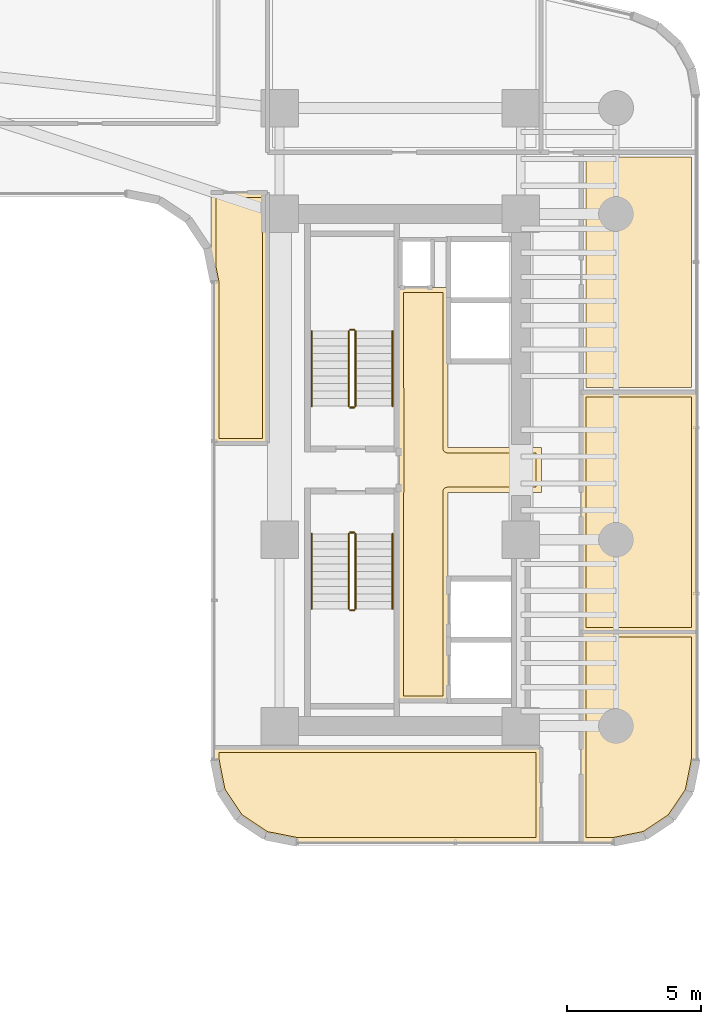
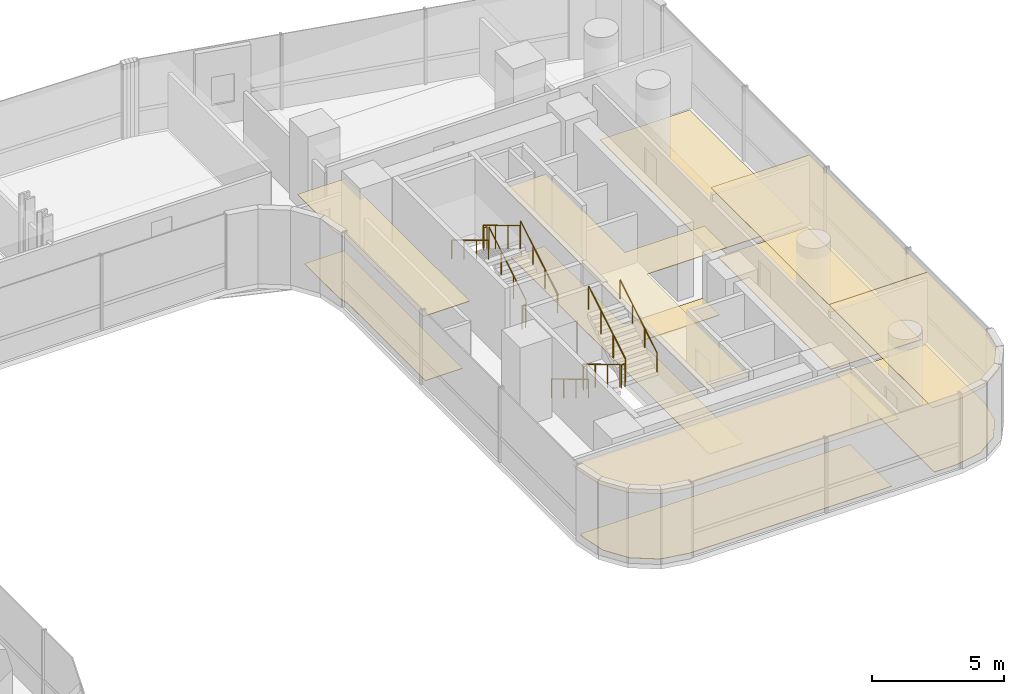
# One storey, part 38 of 39: 12 railings, 11 coverings.
"""IFC4 building model written with IfcOpenShell, lengths in metres."""

from ifc_helpers import new_model, si_unit, direction, frame, origin, origin_2d, place, context, subcontext, project, spatial, polyline, circle, outline, extrude, material, layer, layer_set, type_object, element, save


model = new_model("IFC4")

# Units and contexts
model_context = context("Model", 3, precision=1e-05, world=origin(), true_north=direction((0.0, 1.0)))
body_context = subcontext(model_context, "Body", "Model", "MODEL_VIEW")
ifc_project = project(units=[si_unit("LENGTHUNIT", "METRE"), si_unit("AREAUNIT", "SQUARE_METRE"), si_unit("VOLUMEUNIT", "CUBIC_METRE"), si_unit("PLANEANGLEUNIT", "RADIAN"), si_unit("MASSUNIT", "GRAM", prefix="KILO")], contexts=[model_context])

# Site, building, storey
site_placement = place(None, origin())
site = spatial("IfcSite", under=ifc_project, at=site_placement, CompositionType="ELEMENT")
building_placement = place(site_placement, origin())
building = spatial("IfcBuilding", under=site, at=building_placement, Name="Valdorenza Pilgrim Sanctuary Tower", CompositionType="ELEMENT")
storey_placement = place(building_placement, frame((0.0, 0.0, 33.39990234375)))
storey = spatial("IfcBuildingStorey", under=building, at=storey_placement, Name="L07", CompositionType="ELEMENT", Elevation=33.39990234375)

# Coverings
ifc_material_1 = material(Name="Micro-perforated acoustic mineral ceiling tile", Category="gypsum")
ifc_layer_1 = layer(ifc_material_1, 0.02490234375, Name="Micro-perforated acoustic mineral ceiling tile")
ifc_layer_set_1 = layer_set([ifc_layer_1], Name="Micro-perforated acoustic mineral ceiling tile")
covering_type_1 = type_object("IfcCoveringType", Name="COV-CLG-ACU", PredefinedType="CEILING", material=ifc_layer_set_1)
covering_1_placement = place(storey_placement, frame((0.0, 0.0, 3.16015625)))
element("IfcCovering", 1, at=covering_1_placement, inside=storey, type_object=covering_type_1, Name="L07 Core B Passenger Lift Lobby Acoustic Ceiling", PredefinedType="CEILING", context=body_context, shape_type="SweptSolid", body=[
    extrude(outline(polyline([(20.287109375, -0.814697265625), (20.287109375, 0.814697265625), (20.28662109375, 0.815185546875), (20.2861328125, 0.81640625), (20.28564453125, 0.81787109375), (20.285400390625, 0.819091796875), (20.28515625, 0.820556640625), (20.284912109375, 0.822021484375), (20.284912109375, 6.800048828125), (20.28515625, 6.801513671875), (20.285400390625, 6.802978515625), (20.28564453125, 6.804443359375), (20.2861328125, 6.8056640625), (20.286865234375, 6.80712890625), (20.28759765625, 6.808349609375), (20.288330078125, 6.8095703125), (20.289306640625, 6.810546875), (20.29052734375, 6.8115234375), (20.291748046875, 6.8125), (20.29296875, 6.813232421875), (20.294189453125, 6.81396484375), (20.295654296875, 6.814453125), (20.297119140625, 6.814697265625), (20.298583984375, 6.81494140625), (20.300048828125, 6.81494140625), (20.347900390625, 6.81494140625), (20.349365234375, 6.81494140625), (20.350830078125, 6.814697265625), (20.352294921875, 6.814453125), (20.353515625, 6.81396484375), (20.35498046875, 6.813232421875), (20.35546875, 6.81298828125), (21.544677734375, 6.81298828125), (21.545166015625, 6.813232421875), (21.54638671875, 6.81396484375), (21.5478515625, 6.814453125), (21.54931640625, 6.814697265625), (21.550537109375, 6.81494140625), (21.552001953125, 6.81494140625), (22.1201171875, 6.81494140625), (22.12158203125, 6.81494140625), (22.122802734375, 6.814697265625), (22.12451171875, 6.814453125), (22.125732421875, 6.81396484375), (22.127197265625, 6.813232421875), (22.12841796875, 6.8125), (22.12939453125, 6.8115234375), (22.130615234375, 6.810546875), (22.131591796875, 6.8095703125), (22.132568359375, 6.808349609375), (22.13330078125, 6.80712890625), (22.1337890625, 6.8056640625), (22.134521484375, 6.804443359375), (22.134765625, 6.802978515625), (22.135009765625, 6.801513671875), (22.135009765625, 6.800048828125), (22.135009765625, 0.8349609375), (25.60009765625, 0.8349609375), (25.6015625, 0.8349609375), (25.602783203125, 0.834716796875), (25.6044921875, 0.83447265625), (25.605712890625, 0.833984375), (25.607177734375, 0.833251953125), (25.6083984375, 0.83251953125), (25.609619140625, 0.83154296875), (25.610595703125, 0.83056640625), (25.611572265625, 0.82958984375), (25.612548828125, 0.828369140625), (25.61328125, 0.8271484375), (25.614013671875, 0.82568359375), (25.614501953125, 0.824462890625), (25.61474609375, 0.822998046875), (25.614990234375, 0.821533203125), (25.614990234375, 0.820068359375), (25.614990234375, -0.820068359375), (25.614990234375, -0.821533203125), (25.61474609375, -0.822998046875), (25.614501953125, -0.824462890625), (25.614013671875, -0.82568359375), (25.61328125, -0.8271484375), (25.612548828125, -0.828369140625), (25.611572265625, -0.82958984375), (25.610595703125, -0.83056640625), (25.609619140625, -0.83154296875), (25.6083984375, -0.83251953125), (25.607177734375, -0.833251953125), (25.605712890625, -0.833984375), (25.6044921875, -0.83447265625), (25.602783203125, -0.834716796875), (25.6015625, -0.8349609375), (25.60009765625, -0.8349609375), (22.135009765625, -0.8349609375), (22.135009765625, -8.60009765625), (22.135009765625, -8.6015625), (22.134765625, -8.602783203125), (22.134521484375, -8.6044921875), (22.1337890625, -8.605712890625), (22.13330078125, -8.607177734375), (22.132568359375, -8.6083984375), (22.131591796875, -8.609619140625), (22.130615234375, -8.610595703125), (22.12939453125, -8.611572265625), (22.12841796875, -8.612548828125), (22.127197265625, -8.61328125), (22.125732421875, -8.614013671875), (22.12451171875, -8.614501953125), (22.122802734375, -8.61474609375), (22.12158203125, -8.614990234375), (22.1201171875, -8.614990234375), (20.300048828125, -8.614990234375), (20.298583984375, -8.614990234375), (20.297119140625, -8.61474609375), (20.295654296875, -8.614501953125), (20.294189453125, -8.614013671875), (20.29296875, -8.61328125), (20.291748046875, -8.612548828125), (20.29052734375, -8.611572265625), (20.289306640625, -8.610595703125), (20.288330078125, -8.609619140625), (20.28759765625, -8.6083984375), (20.286865234375, -8.607177734375), (20.2861328125, -8.605712890625), (20.28564453125, -8.6044921875), (20.285400390625, -8.602783203125), (20.28515625, -8.6015625), (20.284912109375, -8.60009765625), (20.284912109375, -0.822021484375), (20.28515625, -0.820556640625), (20.285400390625, -0.819091796875), (20.28564453125, -0.81787109375), (20.2861328125, -0.81640625), (20.28662109375, -0.815185546875), (20.287109375, -0.814697265625)])), origin(), (0.0, 0.0, 1.0), 0.02490234375),
])
covering_2_placement = place(storey_placement, frame((0.0, 0.0, 3.16015625)))
element("IfcCovering", 2, at=covering_2_placement, inside=storey, type_object=covering_type_1, Name="L07 Theological Reference Library L07-BS Acoustic Ceiling", PredefinedType="CEILING", context=body_context, shape_type="SweptSolid", body=[
    extrude(outline(polyline([(25.614990234375, -13.889892578125), (25.614990234375, -13.8916015625), (25.61474609375, -13.892822265625), (25.614501953125, -13.894287109375), (25.614013671875, -13.895751953125), (25.61328125, -13.897216796875), (25.612548828125, -13.898193359375), (25.611572265625, -13.8994140625), (25.610595703125, -13.900634765625), (25.609619140625, -13.901611328125), (25.6083984375, -13.902587890625), (25.607177734375, -13.9033203125), (25.605712890625, -13.90380859375), (25.6044921875, -13.904296875), (25.602783203125, -13.90478515625), (25.6015625, -13.90478515625), (25.60009765625, -13.905029296875), (16.5107421875, -13.905029296875), (16.509521484375, -13.90478515625), (16.5078125, -13.90478515625), (15.3154296875, -13.66748046875), (15.31396484375, -13.6669921875), (15.3125, -13.66650390625), (15.311279296875, -13.666015625), (15.31005859375, -13.665283203125), (14.308349609375, -12.995849609375), (14.30712890625, -12.9951171875), (14.305908203125, -12.993896484375), (14.304931640625, -12.992919921875), (14.30419921875, -12.99169921875), (13.634765625, -11.989990234375), (13.634033203125, -11.98876953125), (13.63330078125, -11.9873046875), (13.6328125, -11.986083984375), (13.632568359375, -11.984619140625), (13.395263671875, -10.7919921875), (13.39501953125, -10.79052734375), (13.39501953125, -10.789306640625), (13.39501953125, -10.35009765625), (13.39501953125, -10.348388671875), (13.395263671875, -10.34716796875), (13.3955078125, -10.345703125), (13.39599609375, -10.34423828125), (13.396728515625, -10.343017578125), (13.3974609375, -10.341796875), (13.3984375, -10.340576171875), (13.3994140625, -10.33935546875), (13.400390625, -10.33837890625), (13.401611328125, -10.33740234375), (13.40283203125, -10.3369140625), (13.404296875, -10.336181640625), (13.405517578125, -10.335693359375), (13.406982421875, -10.335205078125), (13.408447265625, -10.335205078125), (13.409912109375, -10.3349609375), (25.60009765625, -10.3349609375), (25.6015625, -10.335205078125), (25.602783203125, -10.335205078125), (25.6044921875, -10.335693359375), (25.605712890625, -10.336181640625), (25.607177734375, -10.3369140625), (25.6083984375, -10.33740234375), (25.609619140625, -10.33837890625), (25.610595703125, -10.33935546875), (25.611572265625, -10.340576171875), (25.612548828125, -10.341796875), (25.61328125, -10.343017578125), (25.614013671875, -10.34423828125), (25.614501953125, -10.345703125), (25.61474609375, -10.34716796875), (25.614990234375, -10.348388671875), (25.614990234375, -10.35009765625), (25.614990234375, -13.889892578125)])), origin(), (0.0, 0.0, 1.0), 0.02490234375),
])
covering_3_placement = place(storey_placement, frame((0.0, 0.0, 3.16015625)))
element("IfcCovering", 3, at=covering_3_placement, inside=storey, type_object=covering_type_1, Name="L07 Open Plan Scholar Office L07-EB1 Acoustic Ceiling", PredefinedType="CEILING", context=body_context, shape_type="SweptSolid", body=[
    extrude(outline(polyline([(31.389892578125, -6.034912109375), (31.3916015625, -6.03515625), (31.392822265625, -6.035400390625), (31.394287109375, -6.03564453125), (31.395751953125, -6.0361328125), (31.397216796875, -6.036865234375), (31.398193359375, -6.03759765625), (31.3994140625, -6.038330078125), (31.400634765625, -6.039306640625), (31.401611328125, -6.04052734375), (31.402587890625, -6.041748046875), (31.4033203125, -6.04296875), (31.40380859375, -6.044189453125), (31.404296875, -6.045654296875), (31.40478515625, -6.047119140625), (31.40478515625, -6.048583984375), (31.405029296875, -6.050048828125), (31.405029296875, -10.789306640625), (31.40478515625, -10.79052734375), (31.40478515625, -10.7919921875), (31.16748046875, -11.984619140625), (31.1669921875, -11.986083984375), (31.16650390625, -11.9873046875), (31.166015625, -11.98876953125), (31.165283203125, -11.989990234375), (30.495849609375, -12.99169921875), (30.4951171875, -12.992919921875), (30.493896484375, -12.993896484375), (30.492919921875, -12.9951171875), (30.49169921875, -12.995849609375), (29.489990234375, -13.665283203125), (29.48876953125, -13.666015625), (29.4873046875, -13.66650390625), (29.486083984375, -13.6669921875), (29.484619140625, -13.66748046875), (28.2919921875, -13.90478515625), (28.29052734375, -13.90478515625), (28.289306640625, -13.905029296875), (27.10009765625, -13.905029296875), (27.098388671875, -13.90478515625), (27.09716796875, -13.90478515625), (27.095703125, -13.904296875), (27.09423828125, -13.90380859375), (27.093017578125, -13.9033203125), (27.091796875, -13.902587890625), (27.090576171875, -13.901611328125), (27.08935546875, -13.900634765625), (27.08837890625, -13.8994140625), (27.08740234375, -13.898193359375), (27.0869140625, -13.897216796875), (27.086181640625, -13.895751953125), (27.085693359375, -13.894287109375), (27.085205078125, -13.892822265625), (27.085205078125, -13.8916015625), (27.0849609375, -13.889892578125), (27.0849609375, -6.050048828125), (27.085205078125, -6.048583984375), (27.085205078125, -6.047119140625), (27.085693359375, -6.045654296875), (27.086181640625, -6.044189453125), (27.0869140625, -6.04296875), (27.08740234375, -6.041748046875), (27.08837890625, -6.04052734375), (27.08935546875, -6.039306640625), (27.090576171875, -6.038330078125), (27.091796875, -6.03759765625), (27.093017578125, -6.036865234375), (27.09423828125, -6.0361328125), (27.095703125, -6.03564453125), (27.09716796875, -6.035400390625), (27.098388671875, -6.03515625), (27.10009765625, -6.034912109375), (31.389892578125, -6.034912109375)])), origin(), (0.0, 0.0, 1.0), 0.02490234375),
])
covering_4_placement = place(storey_placement, frame((0.0, 0.0, 3.16015625)))
element("IfcCovering", 4, at=covering_4_placement, inside=storey, type_object=covering_type_1, Name="L07 Open Plan Scholar Office L07-EB2 Acoustic Ceiling", PredefinedType="CEILING", context=body_context, shape_type="SweptSolid", body=[
    extrude(outline(polyline([(27.0849609375, 2.89990234375), (27.085205078125, 2.901611328125), (27.085205078125, 2.90283203125), (27.085693359375, 2.904296875), (27.086181640625, 2.90576171875), (27.0869140625, 2.906982421875), (27.08740234375, 2.908203125), (27.08837890625, 2.909423828125), (27.08935546875, 2.91064453125), (27.090576171875, 2.91162109375), (27.091796875, 2.91259765625), (27.093017578125, 2.9130859375), (27.09423828125, 2.913818359375), (27.095703125, 2.914306640625), (27.09716796875, 2.914794921875), (27.098388671875, 2.914794921875), (27.10009765625, 2.9150390625), (31.389892578125, 2.9150390625), (31.3916015625, 2.914794921875), (31.392822265625, 2.914794921875), (31.394287109375, 2.914306640625), (31.395751953125, 2.913818359375), (31.397216796875, 2.9130859375), (31.398193359375, 2.91259765625), (31.3994140625, 2.91162109375), (31.400634765625, 2.91064453125), (31.401611328125, 2.909423828125), (31.402587890625, 2.908203125), (31.4033203125, 2.906982421875), (31.40380859375, 2.90576171875), (31.404296875, 2.904296875), (31.40478515625, 2.90283203125), (31.40478515625, 2.901611328125), (31.405029296875, 2.89990234375), (31.405029296875, -6.048095703125), (31.40478515625, -6.049560546875), (31.40478515625, -6.05078125), (31.404296875, -6.052490234375), (31.40380859375, -6.0537109375), (31.4033203125, -6.05517578125), (31.402587890625, -6.056396484375), (31.401611328125, -6.0576171875), (31.400634765625, -6.05859375), (31.3994140625, -6.0595703125), (31.398193359375, -6.060546875), (31.397216796875, -6.061279296875), (31.395751953125, -6.06201171875), (31.394287109375, -6.0625), (31.392822265625, -6.062744140625), (31.3916015625, -6.06298828125), (31.389892578125, -6.06298828125), (27.10009765625, -6.06298828125), (27.098388671875, -6.06298828125), (27.09716796875, -6.062744140625), (27.095703125, -6.0625), (27.09423828125, -6.06201171875), (27.093017578125, -6.061279296875), (27.091796875, -6.060546875), (27.090576171875, -6.0595703125), (27.08935546875, -6.05859375), (27.08837890625, -6.0576171875), (27.08740234375, -6.056396484375), (27.0869140625, -6.05517578125), (27.086181640625, -6.0537109375), (27.085693359375, -6.052490234375), (27.085205078125, -6.05078125), (27.085205078125, -6.049560546875), (27.0849609375, -6.048095703125), (27.0849609375, 2.89990234375)])), origin(), (0.0, 0.0, 1.0), 0.02490234375),
])
covering_5_placement = place(storey_placement, frame((0.0, 0.0, 3.16015625)))
element("IfcCovering", 5, at=covering_5_placement, inside=storey, type_object=covering_type_1, Name="L07 Courtyard Overlook Salon L07 Acoustic Ceiling", PredefinedType="CEILING", context=body_context, shape_type="SweptSolid", body=[
    extrude(outline(polyline([(15.39990234375, 10.364990234375), (15.401611328125, 10.364990234375), (15.40283203125, 10.36474609375), (15.404296875, 10.364501953125), (15.40576171875, 10.364013671875), (15.406982421875, 10.36328125), (15.408203125, 10.362548828125), (15.409423828125, 10.361572265625), (15.41064453125, 10.360595703125), (15.41162109375, 10.359619140625), (15.41259765625, 10.3583984375), (15.4130859375, 10.357177734375), (15.413818359375, 10.355712890625), (15.414306640625, 10.3544921875), (15.414794921875, 10.352783203125), (15.414794921875, 10.3515625), (15.4150390625, 10.35009765625), (15.4150390625, 1.0), (15.414794921875, 0.99853515625), (15.414794921875, 0.9970703125), (15.414306640625, 0.99560546875), (15.413818359375, 0.994384765625), (15.4130859375, 0.992919921875), (15.41259765625, 0.99169921875), (15.41162109375, 0.990478515625), (15.41064453125, 0.989501953125), (15.409423828125, 0.98828125), (15.408203125, 0.987548828125), (15.406982421875, 0.98681640625), (15.40576171875, 0.986083984375), (15.404296875, 0.985595703125), (15.40283203125, 0.9853515625), (15.401611328125, 0.985107421875), (15.39990234375, 0.985107421875), (13.409912109375, 0.985107421875), (13.408447265625, 0.985107421875), (13.406982421875, 0.9853515625), (13.405517578125, 0.985595703125), (13.404296875, 0.986083984375), (13.40283203125, 0.98681640625), (13.401611328125, 0.987548828125), (13.400390625, 0.98828125), (13.3994140625, 0.989501953125), (13.3984375, 0.990478515625), (13.3974609375, 0.99169921875), (13.396728515625, 0.992919921875), (13.39599609375, 0.994384765625), (13.3955078125, 0.99560546875), (13.395263671875, 0.9970703125), (13.39501953125, 0.99853515625), (13.39501953125, 1.0), (13.39501953125, 6.99951171875), (13.39453125, 7.00927734375), (13.39306640625, 7.018798828125), (13.285400390625, 7.560791015625), (13.28515625, 7.562255859375), (13.284912109375, 7.563720703125), (13.284912109375, 10.35009765625), (13.28515625, 10.3515625), (13.285400390625, 10.352783203125), (13.28564453125, 10.3544921875), (13.2861328125, 10.355712890625), (13.286865234375, 10.357177734375), (13.28759765625, 10.3583984375), (13.288330078125, 10.359619140625), (13.289306640625, 10.360595703125), (13.29052734375, 10.361572265625), (13.291748046875, 10.362548828125), (13.29296875, 10.36328125), (13.294189453125, 10.364013671875), (13.295654296875, 10.364501953125), (13.297119140625, 10.36474609375), (13.298583984375, 10.364990234375), (13.300048828125, 10.364990234375), (15.39990234375, 10.364990234375)])), origin(), (0.0, 0.0, 1.0), 0.02490234375),
])
ifc_material_2 = material(Name="Honed travertine stone flooring", Category="masonry")
ifc_layer_2 = layer(ifc_material_2, 0.030029296875, Name="Honed travertine stone flooring")
ifc_layer_set_2 = layer_set([ifc_layer_2], Name="Honed travertine stone flooring")
covering_type_2 = type_object("IfcCoveringType", Name="COV-FLR-TRV", PredefinedType="FLOORING", material=ifc_layer_set_2)
covering_6_placement = place(storey_placement, origin())
element("IfcCovering", 6, at=covering_6_placement, inside=storey, type_object=covering_type_2, Name="L07 Core B Passenger Lift Lobby Flooring", PredefinedType="FLOORING", context=body_context, shape_type="SweptSolid", body=[
    extrude(outline(polyline([(20.47998046875, 6.617919921875), (21.550048828125, 6.617919921875), (21.550537109375, 6.617919921875), (21.93994140625, 6.619384765625), (21.93994140625, 0.820068359375), (21.94091796875, 0.802490234375), (21.943603515625, 0.784912109375), (21.94775390625, 0.767578125), (21.95361328125, 0.751220703125), (21.961181640625, 0.735107421875), (21.97021484375, 0.719970703125), (21.98095703125, 0.705810546875), (21.99267578125, 0.692626953125), (22.005859375, 0.680908203125), (22.02001953125, 0.67041015625), (22.03515625, 0.661376953125), (22.051025390625, 0.65380859375), (22.067626953125, 0.647705078125), (22.0849609375, 0.6435546875), (22.102294921875, 0.640869140625), (22.1201171875, 0.639892578125), (25.419921875, 0.639892578125), (25.419921875, -0.639892578125), (22.1201171875, -0.639892578125), (22.102294921875, -0.640869140625), (22.0849609375, -0.6435546875), (22.067626953125, -0.647705078125), (22.051025390625, -0.65380859375), (22.03515625, -0.661376953125), (22.02001953125, -0.67041015625), (22.005859375, -0.680908203125), (21.99267578125, -0.692626953125), (21.98095703125, -0.705810546875), (21.97021484375, -0.719970703125), (21.961181640625, -0.735107421875), (21.95361328125, -0.751220703125), (21.94775390625, -0.767578125), (21.943603515625, -0.784912109375), (21.94091796875, -0.802490234375), (21.93994140625, -0.820068359375), (21.93994140625, -8.419921875), (20.47998046875, -8.419921875), (20.47998046875, -0.846923828125), (20.47998046875, -0.8466796875), (20.47998046875, -0.8466796875), (20.481689453125, -0.8291015625), (20.481689453125, -0.828857421875), (20.48193359375, -0.820068359375), (20.48193359375, 0.820068359375), (20.47998046875, 6.617919921875)])), origin(), (0.0, 0.0, 1.0), 0.025146484375),
])
covering_7_placement = place(storey_placement, origin())
element("IfcCovering", 7, at=covering_7_placement, inside=storey, type_object=covering_type_2, Name="L07 Theological Reference Library L07-BS Flooring", PredefinedType="FLOORING", context=body_context, shape_type="SweptSolid", body=[
    extrude(outline(polyline([(25.419921875, -13.7099609375), (16.528564453125, -13.7099609375), (15.388671875, -13.483154296875), (14.4462890625, -12.853515625), (13.81689453125, -11.911376953125), (13.590087890625, -10.771484375), (13.590087890625, -10.530029296875), (25.419921875, -10.530029296875), (25.419921875, -13.7099609375)])), origin(), (0.0, 0.0, 1.0), 0.025146484375),
])
covering_8_placement = place(storey_placement, origin())
element("IfcCovering", 8, at=covering_8_placement, inside=storey, type_object=covering_type_2, Name="L07 Open Plan Scholar Office L07-EB1 Flooring", PredefinedType="FLOORING", context=body_context, shape_type="SweptSolid", body=[
    extrude(outline(polyline([(31.2099609375, -6.22998046875), (31.2099609375, -10.771484375), (30.983154296875, -11.911376953125), (30.353515625, -12.853515625), (29.411376953125, -13.483154296875), (28.271484375, -13.7099609375), (27.280029296875, -13.7099609375), (27.280029296875, -6.22998046875), (31.2099609375, -6.22998046875)])), origin(), (0.0, 0.0, 1.0), 0.025146484375),
])
covering_9_placement = place(storey_placement, origin())
element("IfcCovering", 9, at=covering_9_placement, inside=storey, type_object=covering_type_2, Name="L07 Open Plan Scholar Office L07-EB2 Flooring", PredefinedType="FLOORING", context=body_context, shape_type="SweptSolid", body=[
    extrude(outline(polyline([(27.280029296875, 2.719970703125), (31.2099609375, 2.719970703125), (31.2099609375, -5.867919921875), (27.280029296875, -5.867919921875), (27.280029296875, 2.719970703125)])), origin(), (0.0, 0.0, 1.0), 0.025146484375),
])
covering_10_placement = place(storey_placement, origin())
element("IfcCovering", 10, at=covering_10_placement, inside=storey, type_object=covering_type_2, Name="L07 Open Plan Scholar Office L07-EB3 Flooring", PredefinedType="FLOORING", context=body_context, shape_type="SweptSolid", body=[
    extrude(outline(polyline([(27.280029296875, 11.66796875), (31.2099609375, 11.66796875), (31.2099609375, 3.08203125), (27.280029296875, 3.08203125), (27.280029296875, 11.66796875)])), origin(), (0.0, 0.0, 1.0), 0.025146484375),
])
covering_11_placement = place(storey_placement, origin())
element("IfcCovering", 11, at=covering_11_placement, inside=storey, type_object=covering_type_2, Name="L07 Courtyard Overlook Salon L07 Flooring", PredefinedType="FLOORING", context=body_context, shape_type="SweptSolid", body=[
    extrude(outline(polyline([(15.219970703125, 10.169921875), (15.219970703125, 1.179931640625), (13.590087890625, 1.179931640625), (13.590087890625, 7.0), (13.58984375, 7.0087890625), (13.58935546875, 7.01953125), (13.58740234375, 7.037109375), (13.5859375, 7.0478515625), (13.58447265625, 7.056640625), (13.47998046875, 7.58154296875), (13.47998046875, 10.169921875), (15.219970703125, 10.169921875)])), origin(), (0.0, 0.0, 1.0), 0.025146484375),
])

# Railings
ifc_material_3 = material(Name="Stainless steel Grade 316", Category="steel")
railing_type_1 = type_object("IfcRailingType", Name="RLG-GRD-1120", PredefinedType="GUARDRAIL", material=ifc_material_3)
railing_1_placement = place(storey_placement, frame((18.679931640625, 2.3798828125, 0.168212890625)))
element("IfcRailing", 12, at=railing_1_placement, inside=storey, type_object=railing_type_1, Name="L07 ST-B1 stair guard 1", PredefinedType="GUARDRAIL", context=body_context, shape_type="SweptSolid", body=[
    extrude(circle(Radius=0.02392578125, at=origin_2d()), frame((0.0, 0.0, 1.076171875), z_axis=(0.0, 0.857242210791, 0.514913383045), x_axis=(-1.0, 0.0, 0.0)), (0.0, 0.0, 1.0), 3.266357421875),
    extrude(circle(Radius=0.02099609375, at=origin_2d()), origin(), (0.0, 0.0, 1.0), 1.052001953125),
    extrude(circle(Radius=0.02099609375, at=origin_2d()), frame((0.0, 0.933349609375, 0.560546875)), (0.0, 0.0, 1.0), 1.052001953125),
    extrude(circle(Radius=0.02099609375, at=origin_2d()), frame((0.0, 1.86669921875, 1.121337890625)), (0.0, 0.0, 1.0), 1.052001953125),
    extrude(circle(Radius=0.02099609375, at=origin_2d()), frame((0.0, 2.800048828125, 1.681884765625)), (0.0, 0.0, 1.0), 1.052001953125),
])
railing_2_placement = place(storey_placement, frame((18.6298828125, 5.22998046875, 1.85009765625)))
element("IfcRailing", 13, at=railing_2_placement, inside=storey, type_object=railing_type_1, Name="L07 ST-B1 stair guard 2", PredefinedType="GUARDRAIL", context=body_context, shape_type="SweptSolid", body=[
    extrude(circle(Radius=0.02392578125, at=origin_2d()), frame((0.0, 0.0, 1.076171875), z_axis=(-1.0, 0.0, 0.0), x_axis=(0.0, -1.0, 0.0)), (0.0, 0.0, 1.0), 0.14990234375),
    extrude(circle(Radius=0.02099609375, at=origin_2d()), origin(), (0.0, 0.0, 1.0), 1.052001953125),
    extrude(circle(Radius=0.02099609375, at=origin_2d()), frame((-0.14990234375, 0.0, 0.0)), (0.0, 0.0, 1.0), 1.052001953125),
])
railing_3_placement = place(storey_placement, frame((18.429931640625, 5.179931640625, 2.018310546875)))
element("IfcRailing", 14, at=railing_3_placement, inside=storey, type_object=railing_type_1, Name="L07 ST-B1 stair guard 3", PredefinedType="GUARDRAIL", context=body_context, shape_type="SweptSolid", body=[
    extrude(circle(Radius=0.02392578125, at=origin_2d()), frame((0.0, 0.0, 1.076171875), z_axis=(0.0, -0.857242210791, 0.514913383045), x_axis=(1.0, 0.0, 0.0)), (0.0, 0.0, 1.0), 3.266357421875),
    extrude(circle(Radius=0.02099609375, at=origin_2d()), origin(), (0.0, 0.0, 1.0), 1.052001953125),
    extrude(circle(Radius=0.02099609375, at=origin_2d()), frame((0.0, -0.933349609375, 0.560546875)), (0.0, 0.0, 1.0), 1.052001953125),
    extrude(circle(Radius=0.02099609375, at=origin_2d()), frame((0.0, -1.86669921875, 1.121337890625)), (0.0, 0.0, 1.0), 1.052001953125),
    extrude(circle(Radius=0.02099609375, at=origin_2d()), frame((0.0, -2.800048828125, 1.681884765625)), (0.0, 0.0, 1.0), 1.052001953125),
])
railing_4_placement = place(storey_placement, frame((18.6298828125, 2.330078125, 0.0)))
element("IfcRailing", 15, at=railing_4_placement, inside=storey, type_object=railing_type_1, Name="L07 ST-B1 stair guard 4", PredefinedType="GUARDRAIL", context=body_context, shape_type="SweptSolid", body=[
    extrude(circle(Radius=0.02392578125, at=origin_2d()), frame((0.0, 0.0, 1.076171875), z_axis=(-1.0, 0.0, 0.0), x_axis=(0.0, -1.0, 0.0)), (0.0, 0.0, 1.0), 0.14990234375),
    extrude(circle(Radius=0.02099609375, at=origin_2d()), origin(), (0.0, 0.0, 1.0), 1.052001953125),
    extrude(circle(Radius=0.02099609375, at=origin_2d()), frame((-0.14990234375, 0.0, 0.0)), (0.0, 0.0, 1.0), 1.052001953125),
])
railing_5_placement = place(storey_placement, frame((18.429931640625, -2.3798828125, 0.168212890625)))
element("IfcRailing", 16, at=railing_5_placement, inside=storey, type_object=railing_type_1, Name="L07 ST-B2 stair guard 1", PredefinedType="GUARDRAIL", context=body_context, shape_type="SweptSolid", body=[
    extrude(circle(Radius=0.02392578125, at=origin_2d()), frame((0.0, 0.0, 1.076171875), z_axis=(0.0, -0.857242210791, 0.514913383045), x_axis=(1.0, 0.0, 0.0)), (0.0, 0.0, 1.0), 3.266357421875),
    extrude(circle(Radius=0.02099609375, at=origin_2d()), origin(), (0.0, 0.0, 1.0), 1.052001953125),
    extrude(circle(Radius=0.02099609375, at=origin_2d()), frame((0.0, -0.933349609375, 0.560546875)), (0.0, 0.0, 1.0), 1.052001953125),
    extrude(circle(Radius=0.02099609375, at=origin_2d()), frame((0.0, -1.86669921875, 1.121337890625)), (0.0, 0.0, 1.0), 1.052001953125),
    extrude(circle(Radius=0.02099609375, at=origin_2d()), frame((0.0, -2.800048828125, 1.681884765625)), (0.0, 0.0, 1.0), 1.052001953125),
])
railing_6_placement = place(storey_placement, frame((18.47998046875, -5.22998046875, 1.85009765625)))
element("IfcRailing", 17, at=railing_6_placement, inside=storey, type_object=railing_type_1, Name="L07 ST-B2 stair guard 2", PredefinedType="GUARDRAIL", context=body_context, shape_type="SweptSolid", body=[
    extrude(circle(Radius=0.02392578125, at=origin_2d()), frame((0.0, 0.0, 1.076171875), z_axis=(1.0, 0.0, 0.0), x_axis=(0.0, 1.0, 0.0)), (0.0, 0.0, 1.0), 0.14990234375),
    extrude(circle(Radius=0.02099609375, at=origin_2d()), origin(), (0.0, 0.0, 1.0), 1.052001953125),
    extrude(circle(Radius=0.02099609375, at=origin_2d()), frame((0.14990234375, 0.0, 0.0)), (0.0, 0.0, 1.0), 1.052001953125),
])
railing_7_placement = place(storey_placement, frame((18.679931640625, -5.179931640625, 2.018310546875)))
element("IfcRailing", 18, at=railing_7_placement, inside=storey, type_object=railing_type_1, Name="L07 ST-B2 stair guard 3", PredefinedType="GUARDRAIL", context=body_context, shape_type="SweptSolid", body=[
    extrude(circle(Radius=0.02392578125, at=origin_2d()), frame((0.0, 0.0, 1.076171875), z_axis=(0.0, 0.857242210791, 0.514913383045), x_axis=(-1.0, 0.0, 0.0)), (0.0, 0.0, 1.0), 3.266357421875),
    extrude(circle(Radius=0.02099609375, at=origin_2d()), origin(), (0.0, 0.0, 1.0), 1.052001953125),
    extrude(circle(Radius=0.02099609375, at=origin_2d()), frame((0.0, 0.933349609375, 0.560546875)), (0.0, 0.0, 1.0), 1.052001953125),
    extrude(circle(Radius=0.02099609375, at=origin_2d()), frame((0.0, 1.86669921875, 1.121337890625)), (0.0, 0.0, 1.0), 1.052001953125),
    extrude(circle(Radius=0.02099609375, at=origin_2d()), frame((0.0, 2.800048828125, 1.681884765625)), (0.0, 0.0, 1.0), 1.052001953125),
])
railing_8_placement = place(storey_placement, frame((18.47998046875, -2.330078125, 0.0)))
element("IfcRailing", 19, at=railing_8_placement, inside=storey, type_object=railing_type_1, Name="L07 ST-B2 stair guard 4", PredefinedType="GUARDRAIL", context=body_context, shape_type="SweptSolid", body=[
    extrude(circle(Radius=0.02392578125, at=origin_2d()), frame((0.0, 0.0, 1.076171875), z_axis=(1.0, 0.0, 0.0), x_axis=(0.0, 1.0, 0.0)), (0.0, 0.0, 1.0), 0.14990234375),
    extrude(circle(Radius=0.02099609375, at=origin_2d()), origin(), (0.0, 0.0, 1.0), 1.052001953125),
    extrude(circle(Radius=0.02099609375, at=origin_2d()), frame((0.14990234375, 0.0, 0.0)), (0.0, 0.0, 1.0), 1.052001953125),
])
ifc_material_4 = material(Name="Brushed stainless steel Grade 316", Category="steel")
railing_type_2 = type_object("IfcRailingType", Name="RLG-HND-920", PredefinedType="HANDRAIL", material=ifc_material_4)
railing_9_placement = place(storey_placement, frame((20.06005859375, 2.3798828125, 0.168212890625)))
element("IfcRailing", 20, at=railing_9_placement, inside=storey, type_object=railing_type_2, Name="L07 ST-B1 stair handrail 1", PredefinedType="HANDRAIL", context=body_context, shape_type="SweptSolid", body=[
    extrude(circle(Radius=0.02392578125, at=origin_2d()), frame((0.0, 0.0, 0.8759765625), z_axis=(0.0, 0.857242210791, 0.514913383045), x_axis=(-1.0, 0.0, 0.0)), (0.0, 0.0, 1.0), 3.266357421875),
    extrude(circle(Radius=0.02099609375, at=origin_2d()), origin(), (0.0, 0.0, 1.0), 0.851806640625),
    extrude(circle(Radius=0.02099609375, at=origin_2d()), frame((0.0, 0.933349609375, 0.560546875)), (0.0, 0.0, 1.0), 0.851806640625),
    extrude(circle(Radius=0.02099609375, at=origin_2d()), frame((0.0, 1.86669921875, 1.121337890625)), (0.0, 0.0, 1.0), 0.851806640625),
    extrude(circle(Radius=0.02099609375, at=origin_2d()), frame((0.0, 2.800048828125, 1.681884765625)), (0.0, 0.0, 1.0), 0.851806640625),
])
for number, where, name in (
    (21, (17.050048828125, 5.179931640625, 2.018310546875), "L07 ST-B1 stair handrail 2"),
    (22, (17.050048828125, -2.3798828125, 0.168212890625), "L07 ST-B2 stair handrail 1"),
):
    element("IfcRailing", number, at=place(storey_placement, frame(where)), inside=storey, type_object=railing_type_2, Name=name, PredefinedType="HANDRAIL", context=body_context, shape_type="SweptSolid", body=[
        extrude(circle(Radius=0.02392578125, at=origin_2d()), frame((0.0, 0.0, 0.8759765625), z_axis=(0.0, -0.857242210791, 0.514913383045), x_axis=(1.0, 0.0, 0.0)), (0.0, 0.0, 1.0), 3.266357421875),
        extrude(circle(Radius=0.02099609375, at=origin_2d()), origin(), (0.0, 0.0, 1.0), 0.851806640625),
        extrude(circle(Radius=0.02099609375, at=origin_2d()), frame((0.0, -0.933349609375, 0.560546875)), (0.0, 0.0, 1.0), 0.851806640625),
        extrude(circle(Radius=0.02099609375, at=origin_2d()), frame((0.0, -1.86669921875, 1.121337890625)), (0.0, 0.0, 1.0), 0.851806640625),
        extrude(circle(Radius=0.02099609375, at=origin_2d()), frame((0.0, -2.800048828125, 1.681884765625)), (0.0, 0.0, 1.0), 0.851806640625),
    ])
railing_10_placement = place(storey_placement, frame((20.06005859375, -5.179931640625, 2.018310546875)))
element("IfcRailing", 23, at=railing_10_placement, inside=storey, type_object=railing_type_2, Name="L07 ST-B2 stair handrail 2", PredefinedType="HANDRAIL", context=body_context, shape_type="SweptSolid", body=[
    extrude(circle(Radius=0.02392578125, at=origin_2d()), frame((0.0, 0.0, 0.8759765625), z_axis=(0.0, 0.857242210791, 0.514913383045), x_axis=(-1.0, 0.0, 0.0)), (0.0, 0.0, 1.0), 3.266357421875),
    extrude(circle(Radius=0.02099609375, at=origin_2d()), origin(), (0.0, 0.0, 1.0), 0.851806640625),
    extrude(circle(Radius=0.02099609375, at=origin_2d()), frame((0.0, 0.933349609375, 0.560546875)), (0.0, 0.0, 1.0), 0.851806640625),
    extrude(circle(Radius=0.02099609375, at=origin_2d()), frame((0.0, 1.86669921875, 1.121337890625)), (0.0, 0.0, 1.0), 0.851806640625),
    extrude(circle(Radius=0.02099609375, at=origin_2d()), frame((0.0, 2.800048828125, 1.681884765625)), (0.0, 0.0, 1.0), 0.851806640625),
])

save(model, "model.ifc")
